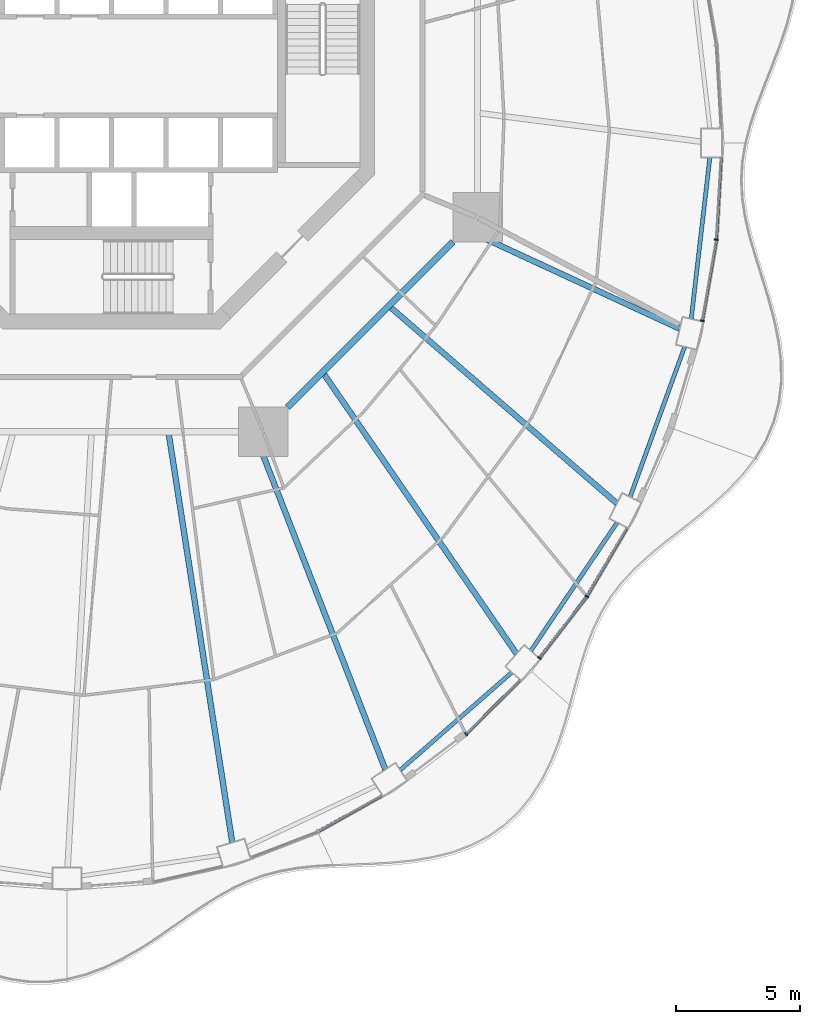
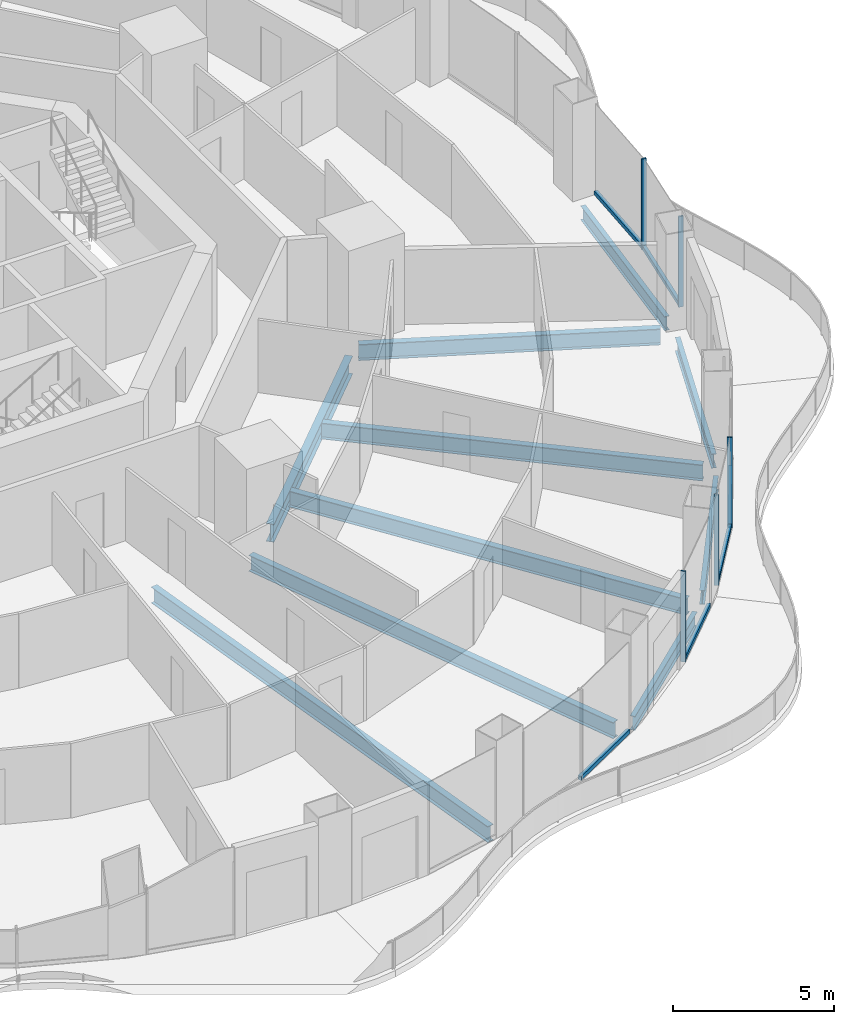
# One storey, part 6 of 21: 11 members, 10 beams, 6 elements without a shape of their own.
"""IFC4 building model written with IfcOpenShell, lengths in metres."""

from ifc_helpers import new_model, si_unit, direction, frame, origin, origin_2d, place, context, subcontext, project, spatial, rectangle, i_section, extrude, material, layer, layer_set, material_profile, profile_set, type_object, element, aggregate, save


model = new_model("IFC4")

# Units and contexts
model_context = context("Model", 3, precision=1e-05, world=origin(), true_north=direction((0.0, 1.0)))
body_context = subcontext(model_context, "Body", "Model", "MODEL_VIEW")
ifc_project = project(units=[si_unit("LENGTHUNIT", "METRE"), si_unit("AREAUNIT", "SQUARE_METRE"), si_unit("VOLUMEUNIT", "CUBIC_METRE"), si_unit("PLANEANGLEUNIT", "RADIAN"), si_unit("MASSUNIT", "GRAM", prefix="KILO")], contexts=[model_context])

# Site, building, storey
site_placement = place(None, origin())
site = spatial("IfcSite", under=ifc_project, at=site_placement, CompositionType="ELEMENT")
building_placement = place(site_placement, origin())
building = spatial("IfcBuilding", under=site, at=building_placement, Name="Nagisa Residences", CompositionType="ELEMENT")
storey_placement = place(building_placement, frame((0.0, 0.0, 138.10009765625)))
storey = spatial("IfcBuildingStorey", under=building, at=storey_placement, Name="L34", CompositionType="ELEMENT", Elevation=138.10009765625)

# Curtain wall, member
ifc_material_1 = material(Name="Concrete-coloured aluminium curtain wall system", Category="concrete")
ifc_layer = layer(ifc_material_1, 0.159912109375)
ifc_layer_set = layer_set([ifc_layer], Name="CW1 CURTAIN WALL")
curtain_wall_type = type_object("IfcCurtainWallType", Name="CW1 CURTAIN WALL", PredefinedType="NOTDEFINED", material=ifc_layer_set)
curtain_wall_1_placement = place(storey_placement, origin())
curtain_wall_1 = element("IfcCurtainWall", 1, at=curtain_wall_1_placement, inside=storey, type_object=curtain_wall_type, Name="cw:CW1:L34:41", PredefinedType="NOTDEFINED")
ifc_material_2 = material(Name="Concrete-coloured aluminium", Category="concrete")
ifc_material_profile_1 = material_profile(ifc_material_2, rectangle(XDim=0.159912109375, YDim=0.06005859375, at=origin_2d()), Name="CW1 MULLION 160x60")
ifc_profile_set_1 = profile_set([ifc_material_profile_1], Name="Concrete-coloured aluminium")
member_type_1 = type_object("IfcMemberType", Name="CW1 MULLION 160x60", PredefinedType="MULLION", material=ifc_profile_set_1)
member_1_placement = place(storey_placement, frame((14.318115234375, -26.9951171875, 0.0), z_axis=(0.0, 0.0, 1.0), x_axis=(-0.706376885714, 0.707835924016, 0.0)))
member_1 = element("IfcMember", 2, at=member_1_placement, type_object=member_type_1, Name="CW1 mullion", PredefinedType="MULLION", context=body_context, shape_type="SweptSolid", body=[
    extrude(rectangle(XDim=0.159912109375, YDim=0.06005859375, at=origin_2d()), origin(), (0.0, 0.0, 1.0), 3.43994140625),
])

curtain_wall_2_placement = place(storey_placement, origin())
curtain_wall_2 = element("IfcCurtainWall", 3, at=curtain_wall_2_placement, inside=storey, type_object=curtain_wall_type, Name="cw:CW1:L34:42", PredefinedType="NOTDEFINED")
member_2_placement = place(storey_placement, frame((17.2841796875, -23.9208984375, 0.0), z_axis=(0.0, 0.0, 1.0), x_axis=(-0.792070340816, 0.610429828235, 0.0)))
member_2 = element("IfcMember", 4, at=member_2_placement, type_object=member_type_1, Name="CW1 mullion", PredefinedType="MULLION", context=body_context, shape_type="SweptSolid", body=[
    extrude(rectangle(XDim=0.159912109375, YDim=0.06005859375, at=origin_2d()), origin(), (0.0, 0.0, 1.0), 3.43994140625),
])

curtain_wall_3_placement = place(storey_placement, origin())
curtain_wall_3 = element("IfcCurtainWall", 5, at=curtain_wall_3_placement, inside=storey, type_object=curtain_wall_type, Name="cw:CW1:L34:43", PredefinedType="NOTDEFINED")
member_3_placement = place(storey_placement, frame((19.19775390625, -21.432861328125, 0.0), z_axis=(0.0, 0.0, 1.0), x_axis=(-0.862328898214, 0.506348567002, 0.0)))
member_3 = element("IfcMember", 6, at=member_3_placement, type_object=member_type_1, Name="CW1 mullion", PredefinedType="MULLION", context=body_context, shape_type="SweptSolid", body=[
    extrude(rectangle(XDim=0.159912109375, YDim=0.06005859375, at=origin_2d()), origin(), (0.0, 0.0, 1.0), 3.43994140625),
])

curtain_wall_4_placement = place(storey_placement, origin())
curtain_wall_4 = element("IfcCurtainWall", 7, at=curtain_wall_4_placement, inside=storey, type_object=curtain_wall_type, Name="cw:CW1:L34:46", PredefinedType="NOTDEFINED")
member_4_placement = place(storey_placement, frame((23.860595703125, -10.29833984375, 0.0), z_axis=(0.0, 0.0, 1.0), x_axis=(-0.985063604377, 0.172190868898, 0.0)))
member_4 = element("IfcMember", 8, at=member_4_placement, type_object=member_type_1, Name="CW1 mullion", PredefinedType="MULLION", context=body_context, shape_type="SweptSolid", body=[
    extrude(rectangle(XDim=0.159912109375, YDim=0.06005859375, at=origin_2d()), origin(), (0.0, 0.0, 1.0), 3.43994140625),
])

curtain_wall_5_placement = place(storey_placement, origin())
curtain_wall_5 = element("IfcCurtainWall", 9, at=curtain_wall_5_placement, inside=storey, type_object=curtain_wall_type, Name="cw:CW1:L34:47", PredefinedType="NOTDEFINED")
member_5_placement = place(storey_placement, frame((24.429931640625, -7.0244140625, 0.0), z_axis=(0.0, 0.0, 1.0), x_axis=(-0.998345305184, 0.057503492216, 0.0)))
member_5 = element("IfcMember", 10, at=member_5_placement, type_object=member_type_1, Name="CW1 mullion", PredefinedType="MULLION", context=body_context, shape_type="SweptSolid", body=[
    extrude(rectangle(XDim=0.159912109375, YDim=0.06005859375, at=origin_2d()), origin(), (0.0, 0.0, 1.0), 3.43994140625),
])

curtain_wall_6_placement = place(storey_placement, origin())
curtain_wall_6 = element("IfcCurtainWall", 11, at=curtain_wall_6_placement, inside=storey, type_object=curtain_wall_type, Name="cw:CW1:L34:39", PredefinedType="NOTDEFINED")
ifc_material_3 = material(Name="Concrete-coloured aluminium", Category="concrete")
ifc_material_profile_2 = material_profile(ifc_material_3, rectangle(XDim=0.1201171875, YDim=0.14990234375, at=origin_2d()), Name="CW1 TRANSOM 120x150")
ifc_profile_set_2 = profile_set([ifc_material_profile_2], Name="Concrete-coloured aluminium")
member_type_2 = type_object("IfcMemberType", Name="CW1 TRANSOM 120x150", PredefinedType="USERDEFINED", material=ifc_profile_set_2)
member_6_placement = place(storey_placement, frame((8.3154296875, -30.944580078125, 0.074951171875), z_axis=(0.87204719449, 0.4894217921, 0.0), x_axis=(-0.4894217921, 0.87204719449, 0.0)))
member_6 = element("IfcMember", 12, at=member_6_placement, type_object=member_type_2, Name="CW1 transom", ObjectType="TRANSOM", PredefinedType="USERDEFINED", context=body_context, shape_type="SweptSolid", body=[
    extrude(rectangle(XDim=0.1201171875, YDim=0.14990234375, at=origin_2d()), origin(), (0.0, 0.0, 1.0), 2.969482421875),
])
aggregate(curtain_wall_6, [member_6])

# Member
member_7_placement = place(storey_placement, frame((14.296875, -27.016357421875, 0.074951171875), z_axis=(0.707857739375, 0.706355024621, 0.0), x_axis=(-0.706355024621, 0.707857739375, 0.0)))
member_7 = element("IfcMember", 13, at=member_7_placement, type_object=member_type_2, Name="CW1 transom", ObjectType="TRANSOM", PredefinedType="USERDEFINED", context=body_context, shape_type="SweptSolid", body=[
    extrude(rectangle(XDim=0.1201171875, YDim=0.14990234375, at=origin_2d()), origin(), (0.0, 0.0, 1.0), 3.0869140625),
])

aggregate(curtain_wall_1, [member_1, member_7])

member_8_placement = place(storey_placement, frame((17.265869140625, -23.94482421875, 0.074951171875), z_axis=(0.610429847179, 0.792070326217, 0.0), x_axis=(-0.792070326217, 0.610429847179, 0.0)))
member_8 = element("IfcMember", 14, at=member_8_placement, type_object=member_type_2, Name="CW1 transom", ObjectType="TRANSOM", PredefinedType="USERDEFINED", context=body_context, shape_type="SweptSolid", body=[
    extrude(rectangle(XDim=0.1201171875, YDim=0.14990234375, at=origin_2d()), origin(), (0.0, 0.0, 1.0), 3.149169921875),
])

aggregate(curtain_wall_2, [member_2, member_8])

member_9_placement = place(storey_placement, frame((19.1826171875, -21.458740234375, 0.074951171875), z_axis=(0.506348207891, 0.86232910908, 0.0), x_axis=(-0.86232910908, 0.506348207891, 0.0)))
member_9 = element("IfcMember", 15, at=member_9_placement, type_object=member_type_2, Name="CW1 transom", ObjectType="TRANSOM", PredefinedType="USERDEFINED", context=body_context, shape_type="SweptSolid", body=[
    extrude(rectangle(XDim=0.1201171875, YDim=0.14990234375, at=origin_2d()), origin(), (0.0, 0.0, 1.0), 3.208251953125),
])

aggregate(curtain_wall_3, [member_3, member_9])

member_10_placement = place(storey_placement, frame((23.85546875, -10.327880859375, 0.074951171875), z_axis=(0.172163521006, 0.985068384446, 0.0), x_axis=(-0.985068384446, 0.172163521006, 0.0)))
member_10 = element("IfcMember", 16, at=member_10_placement, type_object=member_type_2, Name="CW1 transom", ObjectType="TRANSOM", PredefinedType="USERDEFINED", context=body_context, shape_type="SweptSolid", body=[
    extrude(rectangle(XDim=0.1201171875, YDim=0.14990234375, at=origin_2d()), origin(), (0.0, 0.0, 1.0), 3.33251953125),
])

aggregate(curtain_wall_4, [member_4, member_10])

member_11_placement = place(storey_placement, frame((24.42822265625, -7.054443359375, 0.074951171875), z_axis=(0.05746514539, 0.998347513176, 0.0), x_axis=(-0.998347513176, 0.05746514539, 0.0)))
member_11 = element("IfcMember", 17, at=member_11_placement, type_object=member_type_2, Name="CW1 transom", ObjectType="TRANSOM", PredefinedType="USERDEFINED", context=body_context, shape_type="SweptSolid", body=[
    extrude(rectangle(XDim=0.1201171875, YDim=0.14990234375, at=origin_2d()), origin(), (0.0, 0.0, 1.0), 3.347900390625),
])

aggregate(curtain_wall_5, [member_5, member_11])

# Beams
ifc_material_4 = material(Name="Steel ASTM A572 Gr 50", Category="steel")
ifc_material_profile_3 = material_profile(ifc_material_4, i_section(OverallWidth=0.25390625, OverallDepth=0.68408203125, WebThickness=0.012451171875, FlangeThickness=0.018798828125, at=origin_2d()), Name="W690x140")
ifc_profile_set_3 = profile_set([ifc_material_profile_3], Name="Steel ASTM A572 Gr 50")
beam_type_1 = type_object("IfcBeamType", Name="Inner ring beam W690x140", PredefinedType="BEAM", material=ifc_profile_set_3)
beam_1_placement = place(storey_placement, frame((7.10888671875, -13.796142578125, -0.60205078125), z_axis=(0.707106781187, 0.707106781187, 0.0), x_axis=(-0.707106781187, 0.707106781187, 0.0)))
element("IfcBeam", 18, at=beam_1_placement, inside=storey, type_object=beam_type_1, Name="beam:L34:ib7", PredefinedType="BEAM", context=body_context, shape_type="SweptSolid", body=[
    extrude(i_section(OverallWidth=0.25390625, OverallDepth=0.68408203125, WebThickness=0.012451171875, FlangeThickness=0.018798828125, at=origin_2d()), origin(), (0.0, 0.0, 1.0), 9.457275390625),
])
ifc_material_5 = material(Name="Steel ASTM A572 Gr 50", Category="steel")
ifc_material_profile_4 = material_profile(ifc_material_5, i_section(OverallWidth=0.166015625, OverallDepth=0.534912109375, WebThickness=0.01025390625, FlangeThickness=0.0166015625, at=origin_2d()), Name="W530x85")
ifc_profile_set_4 = profile_set([ifc_material_profile_4], Name="Steel ASTM A572 Gr 50")
beam_type_2 = type_object("IfcBeamType", Name="Perimeter ring beam W530x85", PredefinedType="BEAM", material=ifc_profile_set_4)
beam_2_placement = place(storey_placement, frame((11.658203125, -28.448486328125, -0.527587890625), z_axis=(0.75252371036, 0.658565156493, 0.0), x_axis=(-0.658565156493, 0.75252371036, 0.0)))
element("IfcBeam", 19, at=beam_2_placement, inside=storey, type_object=beam_type_2, Name="beam:L34:pb21", PredefinedType="BEAM", context=body_context, shape_type="SweptSolid", body=[
    extrude(i_section(OverallWidth=0.166015625, OverallDepth=0.534912109375, WebThickness=0.01025390625, FlangeThickness=0.0166015625, at=origin_2d()), origin(), (0.0, 0.0, 1.0), 5.994384765625),
])
beam_3_placement = place(storey_placement, frame((16.93603515625, -23.6298828125, -0.527587890625), z_axis=(0.558187951157, 0.82971453596, 0.0), x_axis=(-0.82971453596, 0.558187951157, 0.0)))
element("IfcBeam", 20, at=beam_3_placement, inside=storey, type_object=beam_type_2, Name="beam:L34:pb22", PredefinedType="BEAM", context=body_context, shape_type="SweptSolid", body=[
    extrude(i_section(OverallWidth=0.166015625, OverallDepth=0.534912109375, WebThickness=0.01025390625, FlangeThickness=0.0166015625, at=origin_2d()), origin(), (0.0, 0.0, 1.0), 6.24267578125),
])
beam_4_placement = place(storey_placement, frame((20.946533203125, -17.415771484375, -0.527587890625), z_axis=(0.341332802315, 0.93994250785, 0.0), x_axis=(-0.93994250785, 0.341332802315, 0.0)))
element("IfcBeam", 21, at=beam_4_placement, inside=storey, type_object=beam_type_2, Name="beam:L34:pb23", PredefinedType="BEAM", context=body_context, shape_type="SweptSolid", body=[
    extrude(i_section(OverallWidth=0.166015625, OverallDepth=0.534912109375, WebThickness=0.01025390625, FlangeThickness=0.0166015625, at=origin_2d()), origin(), (0.0, 0.0, 1.0), 6.450927734375),
])
beam_5_placement = place(storey_placement, frame((23.414794921875, -10.22314453125, -0.527587890625), z_axis=(0.114660786771, 0.993404703017, 0.0), x_axis=(-0.993404703017, 0.114660786771, 0.0)))
element("IfcBeam", 22, at=beam_5_placement, inside=storey, type_object=beam_type_2, Name="beam:L34:pb24", PredefinedType="BEAM", context=body_context, shape_type="SweptSolid", body=[
    extrude(i_section(OverallWidth=0.166015625, OverallDepth=0.534912109375, WebThickness=0.01025390625, FlangeThickness=0.0166015625, at=origin_2d()), origin(), (0.0, 0.0, 1.0), 6.568603515625),
])
ifc_material_6 = material(Name="Steel ASTM A572 Gr 50", Category="steel")
ifc_material_profile_5 = material_profile(ifc_material_6, i_section(OverallWidth=0.22900390625, OverallDepth=0.612060546875, WebThickness=0.011962890625, FlangeThickness=0.01953125, at=origin_2d()), Name="W610x125")
ifc_profile_set_5 = profile_set([ifc_material_profile_5], Name="Steel ASTM A572 Gr 50")
beam_type_3 = type_object("IfcBeamType", Name="Radial beam W610x125", PredefinedType="BEAM", material=ifc_profile_set_5)
beam_6_placement = place(storey_placement, frame((4.87158203125, -31.371337890625, -0.566162109375), z_axis=(-0.153441816097, 0.988157684316, 0.0), x_axis=(-0.988157684316, -0.153441816097, 0.0)))
element("IfcBeam", 23, at=beam_6_placement, inside=storey, type_object=beam_type_3, Name="beam:L34:rb20", PredefinedType="BEAM", context=body_context, shape_type="SweptSolid", body=[
    extrude(i_section(OverallWidth=0.22900390625, OverallDepth=0.612060546875, WebThickness=0.011962890625, FlangeThickness=0.01953125, at=origin_2d()), origin(), (0.0, 0.0, 1.0), 16.679443359375),
])
beam_7_placement = place(storey_placement, frame((11.057861328125, -28.424072265625, -0.566162109375), z_axis=(-0.362553351511, 0.931963018208, 0.0), x_axis=(-0.931963018208, -0.362553351511, 0.0)))
element("IfcBeam", 24, at=beam_7_placement, inside=storey, type_object=beam_type_3, Name="beam:L34:rb21", PredefinedType="BEAM", context=body_context, shape_type="SweptSolid", body=[
    extrude(i_section(OverallWidth=0.22900390625, OverallDepth=0.612060546875, WebThickness=0.011962890625, FlangeThickness=0.01953125, at=origin_2d()), origin(), (0.0, 0.0, 1.0), 14.521728515625),
])
beam_8_placement = place(storey_placement, frame((16.357666015625, -23.74951171875, -0.566162109375), z_axis=(-0.567235127754, 0.823555893575, 0.0), x_axis=(-0.823555893575, -0.567235127754, 0.0)))
element("IfcBeam", 25, at=beam_8_placement, inside=storey, type_object=beam_type_3, Name="beam:L34:rb22", PredefinedType="BEAM", context=body_context, shape_type="SweptSolid", body=[
    extrude(i_section(OverallWidth=0.22900390625, OverallDepth=0.612060546875, WebThickness=0.011962890625, FlangeThickness=0.01953125, at=origin_2d()), origin(), (0.0, 0.0, 1.0), 13.697509765625),
])
beam_9_placement = place(storey_placement, frame((20.41162109375, -17.6748046875, -0.566162109375), z_axis=(-0.755973913649, 0.654601742957, 0.0), x_axis=(-0.654601742957, -0.755973913649, 0.0)))
element("IfcBeam", 26, at=beam_9_placement, inside=storey, type_object=beam_type_3, Name="beam:L34:rb23", PredefinedType="BEAM", context=body_context, shape_type="SweptSolid", body=[
    extrude(i_section(OverallWidth=0.22900390625, OverallDepth=0.612060546875, WebThickness=0.011962890625, FlangeThickness=0.01953125, at=origin_2d()), origin(), (0.0, 0.0, 1.0), 12.072998046875),
])
beam_10_placement = place(storey_placement, frame((22.94921875, -10.618896484375, -0.566162109375), z_axis=(-0.907551024181, 0.419941827528, 0.0), x_axis=(-0.419941827528, -0.907551024181, 0.0)))
element("IfcBeam", 27, at=beam_10_placement, inside=storey, type_object=beam_type_3, Name="beam:L34:rb24", PredefinedType="BEAM", context=body_context, shape_type="SweptSolid", body=[
    extrude(i_section(OverallWidth=0.22900390625, OverallDepth=0.612060546875, WebThickness=0.011962890625, FlangeThickness=0.01953125, at=origin_2d()), origin(), (0.0, 0.0, 1.0), 9.424072265625),
])

save(model, "model.ifc")
